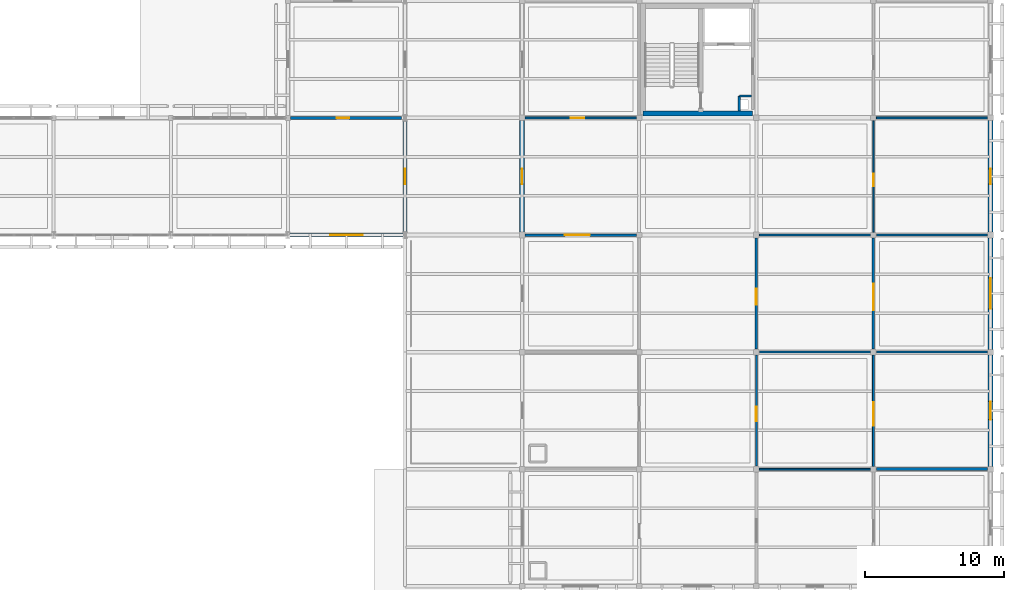
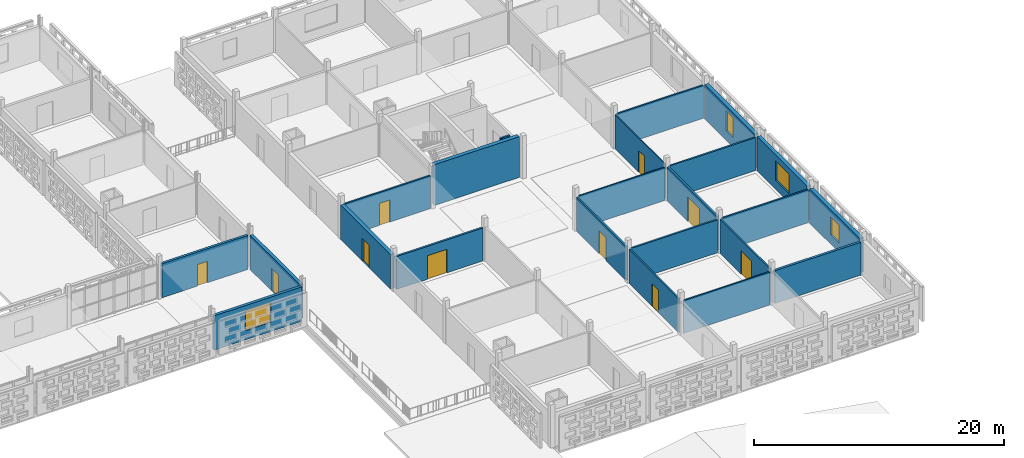
# One storey, part 90 of 140: 24 walls, 10 doors, 4 windows, 14 openings.
"""IFC4 building model written with IfcOpenShell, lengths in metres."""

from ifc_helpers import new_model, si_unit, direction, frame, frame_2d, origin, place, context, subcontext, project, spatial, rectangle, extrude, material, layer, layer_set, type_object, element, fill, save


model = new_model("IFC4")

# Units and contexts
model_context = context("Model", 3, precision=1e-05, world=origin(), true_north=direction((0.0, 1.0)))
body_context = subcontext(model_context, "Body", "Model", "MODEL_VIEW")
ifc_project = project(units=[si_unit("LENGTHUNIT", "METRE"), si_unit("AREAUNIT", "SQUARE_METRE"), si_unit("VOLUMEUNIT", "CUBIC_METRE"), si_unit("PLANEANGLEUNIT", "RADIAN"), si_unit("MASSUNIT", "GRAM", prefix="KILO")], contexts=[model_context])

# Site, building, storey
site_placement = place(None, origin())
site = spatial("IfcSite", under=ifc_project, at=site_placement, CompositionType="ELEMENT")
building_placement = place(site_placement, origin())
building = spatial("IfcBuilding", under=site, at=building_placement, Name="Varnapada Polytechnic", CompositionType="ELEMENT")
storey_placement = place(building_placement, frame((0.0, 0.0, 13.800048828125)))
storey = spatial("IfcBuildingStorey", under=building, at=storey_placement, Name="L03", CompositionType="ELEMENT", Elevation=13.800048828125)

# Walls
ifc_material_1 = material(Name="Autoclaved Aerated Concrete Block AAC-600", Category="concrete")
ifc_layer_1 = layer(ifc_material_1, 0.14990234375)
ifc_layer_set_1 = layer_set([ifc_layer_1], Name="Autoclaved Aerated Concrete Block AAC-600")
wall_type_1 = type_object("IfcWallType", Name="Interior Wall IW-02", PredefinedType="PARTITIONING", material=ifc_layer_set_1)
wall_1_placement = place(storey_placement, frame((158.3798828125, 93.9599609375, 0.0), z_axis=(0.0, 0.0, 1.0), x_axis=(0.0, -1.0, 0.0)))
element("IfcWall", 1, at=wall_1_placement, inside=storey, type_object=wall_type_1, Name="L03 C5 riser shaft west wall", PredefinedType="PARTITIONING", context=body_context, shape_type="SweptSolid", body=[
    extrude(rectangle(XDim=1.06005859375, YDim=0.14990234375, at=frame_2d((0.530029296875, 0.0))), origin(), (0.0, 0.0, 1.0), 3.320068359375),
])
wall_2_placement = place(storey_placement, frame((158.3798828125, 93.9599609375, 0.0), z_axis=(0.0, 0.0, 1.0), x_axis=(1.0, 0.0, 0.0)))
element("IfcWall", 2, at=wall_2_placement, inside=storey, type_object=wall_type_1, Name="L03 C5 riser shaft north wall", PredefinedType="PARTITIONING", context=body_context, shape_type="SweptSolid", body=[
    extrude(rectangle(XDim=0.860107421875, YDim=0.14990234375, at=frame_2d((0.43017578125, 0.0))), origin(), (0.0, 0.0, 1.0), 3.320068359375),
])
ifc_material_2 = material(Name="Gypsum Plasterboard Acoustic Partition")
ifc_layer_2 = layer(ifc_material_2, 0.125)
ifc_layer_set_2 = layer_set([ifc_layer_2], Name="Gypsum Plasterboard Acoustic Partition")
wall_type_2 = type_object("IfcWallType", Name="Interior Wall IW-03", PredefinedType="PARTITIONING", material=ifc_layer_set_2)
wall_3_placement = place(storey_placement, frame((159.820068359375, 67.199951171875, 0.0), z_axis=(0.0, 0.0, 1.0), x_axis=(1.0, 0.0, 0.0)))
element("IfcWall", 3, at=wall_3_placement, inside=storey, type_object=wall_type_2, Name="L03 interior partition IW-L03-19-07-H", PredefinedType="PARTITIONING", context=body_context, shape_type="SweptSolid", body=[
    extrude(rectangle(XDim=7.969970703125, YDim=0.125, at=frame_2d((3.98486328125, 0.0))), origin(), (0.0, 0.0, 1.0), 3.2099609375),
])

# Wall, opening, door
ifc_material_3 = material(Name="Moisture-Resistant Cement Board Partition")
ifc_layer_3 = layer(ifc_material_3, 0.139892578125)
ifc_layer_set_3 = layer_set([ifc_layer_3], Name="Moisture-Resistant Cement Board Partition")
wall_type_3 = type_object("IfcWallType", Name="Interior Wall IW-04", PredefinedType="PARTITIONING", material=ifc_layer_set_3)
wall_4_placement = place(storey_placement, frame((143.02001953125, 92.39990234375, 0.0), z_axis=(0.0, 0.0, 1.0), x_axis=(1.0, 0.0, 0.0)))
wall_4 = element("IfcWall", 4, at=wall_4_placement, inside=storey, type_object=wall_type_3, Name="L03 interior partition IW-L03-17-10-H", PredefinedType="PARTITIONING", context=body_context, shape_type="SweptSolid", body=[
    extrude(rectangle(XDim=7.969970703125, YDim=0.139892578125, at=frame_2d((3.98486328125, 0.0))), origin(), (0.0, 0.0, 1.0), 3.219970703125),
])
opening_1_placement = place(wall_4_placement, frame((3.27490234375, 0.0, 0.0)))
opening_1 = element("IfcOpeningElement", 5, at=opening_1_placement, cuts=wall_4, Name="Opening D-1244", PredefinedType="OPENING", context=body_context, shape_type="SweptSolid", body=[
    extrude(rectangle(XDim=0.949951171875, YDim=2.14990234375, at=frame_2d((0.47509765625, 1.074951171875))), frame((0.0, 0.079833984375, 0.0), z_axis=(0.0, -1.0, 0.0), x_axis=(1.0, 0.0, 0.0)), (0.0, 0.0, 1.0), 0.159912109375),
])
ifc_material_4 = material(Name="Moisture-Resistant HPL Timber", Category="wood")
door_type_1 = type_object("IfcDoorType", Name="Interior Door ID-03", OperationType="NOTDEFINED", PredefinedType="DOOR", material=ifc_material_4)
door_1_placement = place(opening_1_placement, frame((0.949951171875, 0.0, 0.0), z_axis=(0.0, 0.0, 1.0), x_axis=(-1.0, 0.0, 0.0)))
door_1 = element("IfcDoor", 6, at=door_1_placement, inside=storey, type_object=door_type_1, Name="L03 interior room door D-1244", OperationType="SINGLE_SWING_LEFT", OverallHeight=2.14990234375, OverallWidth=0.949951171875, PredefinedType="DOOR", context=body_context, shape_type="SweptSolid", body=[
    extrude(rectangle(XDim=0.949951171875, YDim=2.14990234375, at=frame_2d((0.47509765625, 1.074951171875))), frame((0.0, 0.02490234375, 0.0), z_axis=(0.0, -1.0, 0.0), x_axis=(1.0, 0.0, 0.0)), (0.0, 0.0, 1.0), 0.050048828125),
])
fill(opening_1, door_1)

wall_5_placement = place(storey_placement, frame((168.0, 67.409912109375, 0.0), z_axis=(0.0, 0.0, 1.0), x_axis=(0.0, 1.0, 0.0)))
wall_5 = element("IfcWall", 7, at=wall_5_placement, inside=storey, type_object=wall_type_3, Name="L03 interior partition IW-L03-19-08-V", PredefinedType="PARTITIONING", context=body_context, shape_type="SweptSolid", body=[
    extrude(rectangle(XDim=7.97998046875, YDim=0.139892578125, at=frame_2d((3.989990234375, 0.0))), origin(), (0.0, 0.0, 1.0), 3.320068359375),
])
opening_2_placement = place(wall_5_placement, frame((2.89990234375, 0.0, 0.0)))
opening_2 = element("IfcOpeningElement", 8, at=opening_2_placement, cuts=wall_5, Name="Opening D-1252", PredefinedType="OPENING", context=body_context, shape_type="SweptSolid", body=[
    extrude(rectangle(XDim=1.699951171875, YDim=2.300048828125, at=frame_2d((0.85009765625, 1.14990234375))), frame((0.0, 0.079833984375, 0.0), z_axis=(0.0, -1.0, 0.0), x_axis=(1.0, 0.0, 0.0)), (0.0, 0.0, 1.0), 0.159912109375),
])
ifc_material_5 = material(Name="Acoustic Double Timber Leaf", Category="wood")
door_type_2 = type_object("IfcDoorType", Name="Interior Door ID-13", OperationType="NOTDEFINED", PredefinedType="DOOR", material=ifc_material_5)
door_2_placement = place(opening_2_placement, origin())
door_2 = element("IfcDoor", 9, at=door_2_placement, inside=storey, type_object=door_type_2, Name="L03 interior room door D-1252", OperationType="SINGLE_SWING_LEFT", OverallHeight=2.300048828125, OverallWidth=1.699951171875, PredefinedType="DOOR", context=body_context, shape_type="SweptSolid", body=[
    extrude(rectangle(XDim=1.699951171875, YDim=2.300048828125, at=frame_2d((0.85009765625, 1.14990234375))), frame((0.0, 0.02490234375, 0.0), z_axis=(0.0, -1.0, 0.0), x_axis=(1.0, 0.0, 0.0)), (0.0, 0.0, 1.0), 0.050048828125),
])
fill(opening_2, door_2)

# Walls
wall_6_placement = place(storey_placement, frame((168.2099609375, 92.39990234375, 0.0), z_axis=(0.0, 0.0, 1.0), x_axis=(1.0, 0.0, 0.0)))
element("IfcWall", 10, at=wall_6_placement, inside=storey, type_object=wall_type_3, Name="L03 interior partition IW-L03-20-10-H", PredefinedType="PARTITIONING", context=body_context, shape_type="SweptSolid", body=[
    extrude(rectangle(XDim=7.969970703125, YDim=0.139892578125, at=frame_2d((3.98486328125, 0.0))), origin(), (0.0, 0.0, 1.0), 3.219970703125),
])
ifc_material_6 = material(Name="Cross-laminated timber CLT C24", Category="wood")
ifc_layer_4 = layer(ifc_material_6, 0.159912109375)
ifc_layer_set_4 = layer_set([ifc_layer_4], Name="Cross-laminated timber CLT C24")
wall_type_4 = type_object("IfcWallType", Name="Interior Wall IW-05", PredefinedType="PARTITIONING", material=ifc_layer_set_4)
wall_7_placement = place(storey_placement, frame((159.820068359375, 75.60009765625, 0.0), z_axis=(0.0, 0.0, 1.0), x_axis=(1.0, 0.0, 0.0)))
element("IfcWall", 11, at=wall_7_placement, inside=storey, type_object=wall_type_4, Name="L03 interior partition IW-L03-19-08-H", PredefinedType="PARTITIONING", context=body_context, shape_type="SweptSolid", body=[
    extrude(rectangle(XDim=7.969970703125, YDim=0.159912109375, at=frame_2d((3.98486328125, 0.0))), origin(), (0.0, 0.0, 1.0), 3.219970703125),
])

# Wall, opening, door
ifc_material_7 = material(Name="Acoustic Double-Stud Studio Partition")
ifc_layer_5 = layer(ifc_material_7, 0.179931640625)
ifc_layer_set_5 = layer_set([ifc_layer_5], Name="Acoustic Double-Stud Studio Partition")
wall_type_5 = type_object("IfcWallType", Name="Interior Wall IW-06", PredefinedType="PARTITIONING", material=ifc_layer_set_5)
wall_8_placement = place(storey_placement, frame((143.02001953125, 84.0, 0.0), z_axis=(0.0, 0.0, 1.0), x_axis=(1.0, 0.0, 0.0)))
wall_8 = element("IfcWall", 12, at=wall_8_placement, inside=storey, type_object=wall_type_5, Name="L03 interior partition IW-L03-17-09-H", PredefinedType="PARTITIONING", context=body_context, shape_type="SweptSolid", body=[
    extrude(rectangle(XDim=7.969970703125, YDim=0.179931640625, at=frame_2d((3.98486328125, 0.0))), origin(), (0.0, 0.0, 1.0), 3.219970703125),
])
opening_3_placement = place(wall_8_placement, frame((2.85009765625, 0.0, 0.0)))
opening_3 = element("IfcOpeningElement", 13, at=opening_3_placement, cuts=wall_8, Name="Opening D-1243", PredefinedType="OPENING", context=body_context, shape_type="SweptSolid", body=[
    extrude(rectangle(XDim=1.800048828125, YDim=2.300048828125, at=frame_2d((0.89990234375, 1.14990234375))), frame((0.0, 0.099853515625, 0.0), z_axis=(0.0, -1.0, 0.0), x_axis=(1.0, 0.0, 0.0)), (0.0, 0.0, 1.0), 0.199951171875),
])
door_type_3 = type_object("IfcDoorType", Name="Interior Door ID-04", OperationType="NOTDEFINED", PredefinedType="DOOR", material=ifc_material_5)
door_3_placement = place(opening_3_placement, origin())
door_3 = element("IfcDoor", 14, at=door_3_placement, inside=storey, type_object=door_type_3, Name="L03 interior room door D-1243", OperationType="SINGLE_SWING_RIGHT", OverallHeight=2.300048828125, OverallWidth=1.800048828125, PredefinedType="DOOR", context=body_context, shape_type="SweptSolid", body=[
    extrude(rectangle(XDim=1.800048828125, YDim=2.300048828125, at=frame_2d((0.89990234375, 1.14990234375))), frame((0.0, 0.02490234375, 0.0), z_axis=(0.0, -1.0, 0.0), x_axis=(1.0, 0.0, 0.0)), (0.0, 0.0, 1.0), 0.050048828125),
])
fill(opening_3, door_3)

wall_9_placement = place(storey_placement, frame((168.0, 75.81005859375, 0.0), z_axis=(0.0, 0.0, 1.0), x_axis=(0.0, 1.0, 0.0)))
wall_9 = element("IfcWall", 15, at=wall_9_placement, inside=storey, type_object=wall_type_5, Name="L03 interior partition IW-L03-19-09-V", PredefinedType="PARTITIONING", context=body_context, shape_type="SweptSolid", body=[
    extrude(rectangle(XDim=7.97998046875, YDim=0.179931640625, at=frame_2d((3.989990234375, 0.0))), origin(), (0.0, 0.0, 1.0), 3.320068359375),
])
opening_4_placement = place(wall_9_placement, frame((2.800048828125, 0.0, 0.0)))
opening_4 = element("IfcOpeningElement", 16, at=opening_4_placement, cuts=wall_9, Name="Opening D-1253", PredefinedType="OPENING", context=body_context, shape_type="SweptSolid", body=[
    extrude(rectangle(XDim=1.89990234375, YDim=2.39990234375, at=frame_2d((0.949951171875, 1.199951171875))), frame((0.0, 0.099853515625, 0.0), z_axis=(0.0, -1.0, 0.0), x_axis=(1.0, 0.0, 0.0)), (0.0, 0.0, 1.0), 0.199951171875),
])
ifc_material_8 = material(Name="Heavy Workshop Double Steel Door", Category="steel")
door_type_4 = type_object("IfcDoorType", Name="Interior Door ID-14", OperationType="NOTDEFINED", PredefinedType="DOOR", material=ifc_material_8)
door_4_placement = place(opening_4_placement, frame((1.89990234375, 0.0, 0.0), z_axis=(0.0, 0.0, 1.0), x_axis=(-1.0, 0.0, 0.0)))
door_4 = element("IfcDoor", 17, at=door_4_placement, inside=storey, type_object=door_type_4, Name="L03 interior room door D-1253", OperationType="SINGLE_SWING_RIGHT", OverallHeight=2.39990234375, OverallWidth=1.89990234375, PredefinedType="DOOR", context=body_context, shape_type="SweptSolid", body=[
    extrude(rectangle(XDim=1.89990234375, YDim=2.39990234375, at=frame_2d((0.949951171875, 1.199951171875))), frame((0.0, 0.02490234375, 0.0), z_axis=(0.0, -1.0, 0.0), x_axis=(1.0, 0.0, 0.0)), (0.0, 0.0, 1.0), 0.050048828125),
])
fill(opening_4, door_4)

# Wall
ifc_material_9 = material(Name="Glazed Timber-Framed Studio Screen", Category="wood")
ifc_layer_6 = layer(ifc_material_9, 0.110107421875)
ifc_layer_set_6 = layer_set([ifc_layer_6], Name="Glazed Timber-Framed Studio Screen")
wall_type_6 = type_object("IfcWallType", Name="Interior Wall IW-07", PredefinedType="PARTITIONING", material=ifc_layer_set_6)
wall_10_placement = place(storey_placement, frame((159.820068359375, 84.0, 0.0), z_axis=(0.0, 0.0, 1.0), x_axis=(1.0, 0.0, 0.0)))
element("IfcWall", 18, at=wall_10_placement, inside=storey, type_object=wall_type_6, Name="L03 interior partition IW-L03-19-09-H", PredefinedType="PARTITIONING", context=body_context, shape_type="SweptSolid", body=[
    extrude(rectangle(XDim=7.969970703125, YDim=0.110107421875, at=frame_2d((3.98486328125, 0.0))), origin(), (0.0, 0.0, 1.0), 3.219970703125),
])

# Wall, opening, door
ifc_material_10 = material(Name="Operable Acoustic Seminar Partition")
ifc_layer_7 = layer(ifc_material_10, 0.10009765625)
ifc_layer_set_7 = layer_set([ifc_layer_7], Name="Operable Acoustic Seminar Partition")
wall_type_7 = type_object("IfcWallType", Name="Interior Wall IW-08", PredefinedType="MOVABLE", material=ifc_layer_set_7)
wall_11_placement = place(storey_placement, frame((168.0, 84.2099609375, 0.0), z_axis=(0.0, 0.0, 1.0), x_axis=(0.0, 1.0, 0.0)))
wall_11 = element("IfcWall", 19, at=wall_11_placement, inside=storey, type_object=wall_type_7, Name="L03 interior partition IW-L03-19-10-V", PredefinedType="MOVABLE", context=body_context, shape_type="SweptSolid", body=[
    extrude(rectangle(XDim=7.97998046875, YDim=0.10009765625, at=frame_2d((3.989990234375, 0.0))), origin(), (0.0, 0.0, 1.0), 3.320068359375),
])
opening_5_placement = place(wall_11_placement, frame((3.300048828125, 0.0, 0.0)))
opening_5 = element("IfcOpeningElement", 20, at=opening_5_placement, cuts=wall_11, Name="Opening D-1254", PredefinedType="OPENING", context=body_context, shape_type="SweptSolid", body=[
    extrude(rectangle(XDim=0.89990234375, YDim=2.10009765625, at=frame_2d((0.449951171875, 1.050048828125))), frame((0.0, 0.06005859375, 0.0), z_axis=(0.0, -1.0, 0.0), x_axis=(1.0, 0.0, 0.0)), (0.0, 0.0, 1.0), 0.1201171875),
])
door_type_5 = type_object("IfcDoorType", Name="Interior Door ID-15", OperationType="NOTDEFINED", PredefinedType="DOOR", material=ifc_material_4)
door_5_placement = place(opening_5_placement, origin())
door_5 = element("IfcDoor", 21, at=door_5_placement, inside=storey, type_object=door_type_5, Name="L03 interior room door D-1254", OperationType="SINGLE_SWING_LEFT", OverallHeight=2.10009765625, OverallWidth=0.89990234375, PredefinedType="DOOR", context=body_context, shape_type="SweptSolid", body=[
    extrude(rectangle(XDim=0.89990234375, YDim=2.10009765625, at=frame_2d((0.449951171875, 1.050048828125))), frame((0.0, 0.02490234375, 0.0), z_axis=(0.0, -1.0, 0.0), x_axis=(1.0, 0.0, 0.0)), (0.0, 0.0, 1.0), 0.050048828125),
])
fill(opening_5, door_5)

ifc_material_11 = material(Name="Heavy Acoustic Auditorium Baffle Wall")
ifc_layer_8 = layer(ifc_material_11, 0.219970703125)
ifc_layer_set_8 = layer_set([ifc_layer_8], Name="Heavy Acoustic Auditorium Baffle Wall")
wall_type_8 = type_object("IfcWallType", Name="Interior Wall IW-13", PredefinedType="PARTITIONING", material=ifc_layer_set_8)
wall_12_placement = place(storey_placement, frame((126.18994140625, 92.39990234375, 0.0), z_axis=(0.0, 0.0, 1.0), x_axis=(1.0, 0.0, 0.0)))
wall_12 = element("IfcWall", 22, at=wall_12_placement, inside=storey, type_object=wall_type_8, Name="L03 interior partition IW-L03-15-10-H", PredefinedType="PARTITIONING", context=body_context, shape_type="SweptSolid", body=[
    extrude(rectangle(XDim=7.965087890625, YDim=0.219970703125, at=frame_2d((3.982421875, 0.0))), origin(), (0.0, 0.0, 1.0), 3.320068359375),
])
opening_6_placement = place(wall_12_placement, frame((3.300048828125, 0.0, 0.0)))
opening_6 = element("IfcOpeningElement", 23, at=opening_6_placement, cuts=wall_12, Name="Opening D-1237", PredefinedType="OPENING", context=body_context, shape_type="SweptSolid", body=[
    extrude(rectangle(XDim=0.89990234375, YDim=2.10009765625, at=frame_2d((0.449951171875, 1.050048828125))), frame((0.0, 0.119873046875, 0.0), z_axis=(0.0, -1.0, 0.0), x_axis=(1.0, 0.0, 0.0)), (0.0, 0.0, 1.0), 0.239990234375),
])
door_6_placement = place(opening_6_placement, origin())
door_6 = element("IfcDoor", 24, at=door_6_placement, inside=storey, type_object=door_type_5, Name="L03 interior room door D-1237", OperationType="SINGLE_SWING_RIGHT", OverallHeight=2.10009765625, OverallWidth=0.89990234375, PredefinedType="DOOR", context=body_context, shape_type="SweptSolid", body=[
    extrude(rectangle(XDim=0.89990234375, YDim=2.10009765625, at=frame_2d((0.449951171875, 1.050048828125))), frame((0.0, 0.02490234375, 0.0), z_axis=(0.0, -1.0, 0.0), x_axis=(1.0, 0.0, 0.0)), (0.0, 0.0, 1.0), 0.050048828125),
])
fill(opening_6, door_6)

# Wall
wall_13_placement = place(storey_placement, frame((168.2099609375, 67.199951171875, 0.0), z_axis=(0.0, 0.0, 1.0), x_axis=(1.0, 0.0, 0.0)))
element("IfcWall", 25, at=wall_13_placement, inside=storey, type_object=wall_type_8, Name="L03 interior partition IW-L03-20-07-H", PredefinedType="PARTITIONING", context=body_context, shape_type="SweptSolid", body=[
    extrude(rectangle(XDim=7.969970703125, YDim=0.219970703125, at=frame_2d((3.98486328125, 0.0))), origin(), (0.0, 0.0, 1.0), 3.2099609375),
])

# Wall, opening, door
ifc_material_12 = material(Name="Ceramic-Tiled Wet Laboratory Wall")
ifc_layer_9 = layer(ifc_material_12, 0.14501953125)
ifc_layer_set_9 = layer_set([ifc_layer_9], Name="Ceramic-Tiled Wet Laboratory Wall")
wall_type_9 = type_object("IfcWallType", Name="Interior Wall IW-14", PredefinedType="PARTITIONING", material=ifc_layer_set_9)
wall_14_placement = place(storey_placement, frame((159.60009765625, 67.419921875, 0.0), z_axis=(0.0, 0.0, 1.0), x_axis=(0.0, 1.0, 0.0)))
wall_14 = element("IfcWall", 26, at=wall_14_placement, inside=storey, type_object=wall_type_9, Name="L03 interior partition IW-L03-18-08-V", PredefinedType="PARTITIONING", context=body_context, shape_type="SweptSolid", body=[
    extrude(rectangle(XDim=7.9599609375, YDim=0.14501953125, at=frame_2d((3.97998046875, 0.0))), origin(), (0.0, 0.0, 1.0), 3.320068359375),
])
opening_7_placement = place(wall_14_placement, frame((3.22509765625, 0.0, 0.0)))
opening_7 = element("IfcOpeningElement", 27, at=opening_7_placement, cuts=wall_14, Name="Opening D-1248", PredefinedType="OPENING", context=body_context, shape_type="SweptSolid", body=[
    extrude(rectangle(XDim=1.050048828125, YDim=2.199951171875, at=frame_2d((0.52490234375, 1.10009765625))), frame((0.0, 0.08251953125, 0.0), z_axis=(0.0, -1.0, 0.0), x_axis=(1.0, 0.0, 0.0)), (0.0, 0.0, 1.0), 0.1650390625),
])
ifc_material_13 = material(Name="Solid Teak Hardwood Timber", Category="wood")
door_type_6 = type_object("IfcDoorType", Name="Interior Door ID-09", OperationType="NOTDEFINED", PredefinedType="DOOR", material=ifc_material_13)
door_7_placement = place(opening_7_placement, origin())
door_7 = element("IfcDoor", 28, at=door_7_placement, inside=storey, type_object=door_type_6, Name="L03 interior room door D-1248", OperationType="SINGLE_SWING_LEFT", OverallHeight=2.199951171875, OverallWidth=1.050048828125, PredefinedType="DOOR", context=body_context, shape_type="SweptSolid", body=[
    extrude(rectangle(XDim=1.050048828125, YDim=2.199951171875, at=frame_2d((0.52490234375, 1.10009765625))), frame((0.0, 0.02490234375, 0.0), z_axis=(0.0, -1.0, 0.0), x_axis=(1.0, 0.0, 0.0)), (0.0, 0.0, 1.0), 0.050048828125),
])
fill(opening_7, door_7)

# Wall
wall_15_placement = place(storey_placement, frame((168.2099609375, 75.60009765625, 0.0), z_axis=(0.0, 0.0, 1.0), x_axis=(1.0, 0.0, 0.0)))
element("IfcWall", 29, at=wall_15_placement, inside=storey, type_object=wall_type_9, Name="L03 interior partition IW-L03-20-08-H", PredefinedType="PARTITIONING", context=body_context, shape_type="SweptSolid", body=[
    extrude(rectangle(XDim=7.969970703125, YDim=0.14501953125, at=frame_2d((3.98486328125, 0.0))), origin(), (0.0, 0.0, 1.0), 3.219970703125),
])

# Wall, opening, door
ifc_material_14 = material(Name="Perforated Timber-Lined Seminar Wall", Category="wood")
ifc_layer_10 = layer(ifc_material_14, 0.155029296875)
ifc_layer_set_10 = layer_set([ifc_layer_10], Name="Perforated Timber-Lined Seminar Wall")
wall_type_10 = type_object("IfcWallType", Name="Interior Wall IW-15", PredefinedType="PARTITIONING", material=ifc_layer_set_10)
wall_16_placement = place(storey_placement, frame((159.60009765625, 75.820068359375, 0.0), z_axis=(0.0, 0.0, 1.0), x_axis=(0.0, 1.0, 0.0)))
wall_16 = element("IfcWall", 30, at=wall_16_placement, inside=storey, type_object=wall_type_10, Name="L03 interior partition IW-L03-18-09-V", PredefinedType="PARTITIONING", context=body_context, shape_type="SweptSolid", body=[
    extrude(rectangle(XDim=7.9599609375, YDim=0.155029296875, at=frame_2d((3.97998046875, 0.0))), origin(), (0.0, 0.0, 1.0), 3.320068359375),
])
opening_8_placement = place(wall_16_placement, frame((3.175048828125, 0.0, 0.0)))
opening_8 = element("IfcOpeningElement", 31, at=opening_8_placement, cuts=wall_16, Name="Opening D-1249", PredefinedType="OPENING", context=body_context, shape_type="SweptSolid", body=[
    extrude(rectangle(XDim=1.14990234375, YDim=2.25, at=frame_2d((0.574951171875, 1.125))), frame((0.0, 0.08740234375, 0.0), z_axis=(0.0, -1.0, 0.0), x_axis=(1.0, 0.0, 0.0)), (0.0, 0.0, 1.0), 0.175048828125),
])
ifc_material_15 = material(Name="Powder-Coated Aluminium 6063-T6", Category="aluminium")
door_type_7 = type_object("IfcDoorType", Name="Interior Door ID-10", OperationType="NOTDEFINED", PredefinedType="DOOR", material=ifc_material_15)
door_8_placement = place(opening_8_placement, origin())
door_8 = element("IfcDoor", 32, at=door_8_placement, inside=storey, type_object=door_type_7, Name="L03 interior room door D-1249", OperationType="SINGLE_SWING_RIGHT", OverallHeight=2.25, OverallWidth=1.14990234375, PredefinedType="DOOR", context=body_context, shape_type="SweptSolid", body=[
    extrude(rectangle(XDim=1.14990234375, YDim=2.25, at=frame_2d((0.574951171875, 1.125))), frame((0.0, 0.02490234375, 0.0), z_axis=(0.0, -1.0, 0.0), x_axis=(1.0, 0.0, 0.0)), (0.0, 0.0, 1.0), 0.050048828125),
])
fill(opening_8, door_8)

# Walls
wall_17_placement = place(storey_placement, frame((168.2099609375, 84.0, 0.0), z_axis=(0.0, 0.0, 1.0), x_axis=(1.0, 0.0, 0.0)))
element("IfcWall", 33, at=wall_17_placement, inside=storey, type_object=wall_type_10, Name="L03 interior partition IW-L03-20-09-H", PredefinedType="PARTITIONING", context=body_context, shape_type="SweptSolid", body=[
    extrude(rectangle(XDim=7.969970703125, YDim=0.155029296875, at=frame_2d((3.98486328125, 0.0))), origin(), (0.0, 0.0, 1.0), 3.219970703125),
])
ifc_material_16 = material(Name="Concrete C40/50", Category="concrete")
ifc_layer_11 = layer(ifc_material_16, 0.35009765625)
ifc_layer_set_11 = layer_set([ifc_layer_11], Name="Concrete C40/50")
wall_type_11 = type_object("IfcWallType", Name="Interior Wall SW-01", PredefinedType="SHEAR", material=ifc_layer_set_11)
wall_18_placement = place(storey_placement, frame((159.340087890625, 92.719970703125, 0.0), z_axis=(0.0, 0.0, 1.0), x_axis=(-1.0, 0.0, 0.0)))
element("IfcWall", 34, at=wall_18_placement, inside=storey, type_object=wall_type_11, Name="L03 C5 core south shear wall", PredefinedType="SHEAR", context=body_context, shape_type="SweptSolid", body=[
    extrude(rectangle(XDim=7.875, YDim=0.35009765625, at=frame_2d((3.9375, 0.0))), origin(), (0.0, 0.0, 1.0), 3.97998046875),
])

# Wall, opening, door
ifc_material_17 = material(Name="Precast concrete C40/50", Category="concrete")
ifc_layer_12 = layer(ifc_material_17, 0.280029296875)
ifc_layer_set_12 = layer_set([ifc_layer_12], Name="Precast concrete C40/50")
wall_type_12 = type_object("IfcWallType", Name="Wall EW-02", PredefinedType="SOLIDWALL", material=ifc_layer_set_12)
wall_19_placement = place(storey_placement, frame((134.39990234375, 92.175048828125, 0.0), z_axis=(0.0, 0.0, 1.0), x_axis=(0.0, -1.0, 0.0)))
wall_19 = element("IfcWall", 35, at=wall_19_placement, inside=storey, type_object=wall_type_12, Name="L03 exterior wall EW-02 (69)", PredefinedType="SOLIDWALL", context=body_context, shape_type="SweptSolid", body=[
    extrude(rectangle(XDim=7.955078125, YDim=0.280029296875, at=frame_2d((3.9775390625, 0.0))), origin(), (0.0, 0.0, 1.0), 3.35986328125),
])
opening_9_placement = place(wall_19_placement, frame((3.427490234375, 0.0, 0.0)))
opening_9 = element("IfcOpeningElement", 36, at=opening_9_placement, cuts=wall_19, Name="Opening D-039", PredefinedType="OPENING", context=body_context, shape_type="SweptSolid", body=[
    extrude(rectangle(XDim=1.10009765625, YDim=2.199951171875, at=frame_2d((0.550048828125, 1.10009765625))), frame((0.0, 0.14990234375, 0.0), z_axis=(0.0, -1.0, 0.0), x_axis=(1.0, 0.0, 0.0)), (0.0, 0.0, 1.0), 0.300048828125),
])
ifc_material_18 = material(Name="Anodised aluminium and laminated glass", Category="aluminium")
door_type_8 = type_object("IfcDoorType", Name="Exterior Door ED-03", OperationType="NOTDEFINED", PredefinedType="DOOR", material=ifc_material_18)
door_9_placement = place(opening_9_placement, origin())
door_9 = element("IfcDoor", 37, at=door_9_placement, inside=storey, type_object=door_type_8, Name="L03 roof terrace access door D-039", OperationType="SINGLE_SWING_RIGHT", OverallHeight=2.199951171875, OverallWidth=1.10009765625, PredefinedType="DOOR", context=body_context, shape_type="SweptSolid", body=[
    extrude(rectangle(XDim=1.10009765625, YDim=2.199951171875, at=frame_2d((0.550048828125, 1.10009765625))), frame((0.0, 0.02490234375, 0.0), z_axis=(0.0, -1.0, 0.0), x_axis=(1.0, 0.0, 0.0)), (0.0, 0.0, 1.0), 0.050048828125),
])
fill(opening_9, door_9)

# Wall, opening, window
ifc_layer_13 = layer(ifc_material_17, 0.260009765625)
ifc_layer_set_13 = layer_set([ifc_layer_13], Name="Precast concrete C40/50")
wall_type_13 = type_object("IfcWallType", Name="Wall EW-03", PredefinedType="SOLIDWALL", material=ifc_layer_set_13)
wall_20_placement = place(storey_placement, frame((134.25, 84.0, 0.0), z_axis=(0.0, 0.0, 1.0), x_axis=(-1.0, 0.0, 0.0)))
wall_20 = element("IfcWall", 38, at=wall_20_placement, inside=storey, type_object=wall_type_13, Name="L03 exterior wall EW-03 (68)", PredefinedType="SOLIDWALL", context=body_context, shape_type="SweptSolid", body=[
    extrude(rectangle(XDim=8.10009765625, YDim=0.260009765625, at=frame_2d((4.050048828125, 0.0))), origin(), (0.0, 0.0, 1.0), 3.35986328125),
])
opening_10_placement = place(wall_20_placement, frame((2.875, 0.0, 0.89990234375)))
opening_10 = element("IfcOpeningElement", 39, at=opening_10_placement, cuts=wall_20, Name="Opening WN-26", PredefinedType="OPENING", context=body_context, shape_type="SweptSolid", body=[
    extrude(rectangle(XDim=2.35009765625, YDim=1.949951171875, at=frame_2d((1.175048828125, 0.97509765625))), frame((0.0, 0.139892578125, 0.0), z_axis=(0.0, -1.0, 0.0), x_axis=(1.0, 0.0, 0.0)), (0.0, 0.0, 1.0), 0.280029296875),
])
ifc_material_19 = material(Name="Double low-E laminated glass", Category="glass")
window_type_1 = type_object("IfcWindowType", Name="Window WN-26", PartitioningType="SINGLE_PANEL", PredefinedType="WINDOW", material=ifc_material_19)
window_1_placement = place(opening_10_placement, origin())
window_1 = element("IfcWindow", 40, at=window_1_placement, inside=storey, type_object=window_type_1, Name="L03 window WN-26 (153)", OverallHeight=1.949951171875, OverallWidth=2.35009765625, PartitioningType="SINGLE_PANEL", PredefinedType="WINDOW", context=body_context, shape_type="SweptSolid", body=[
    extrude(rectangle(XDim=2.35009765625, YDim=1.949951171875, at=frame_2d((1.175048828125, 0.97509765625))), frame((0.0, 0.030029296875, 0.0), z_axis=(0.0, -1.0, 0.0), x_axis=(1.0, 0.0, 0.0)), (0.0, 0.0, 1.0), 0.06005859375),
])
fill(opening_10, window_1)

# Wall, opening, door
ifc_layer_14 = layer(ifc_material_17, 0.340087890625)
ifc_layer_set_14 = layer_set([ifc_layer_14], Name="Precast concrete C40/50")
wall_type_14 = type_object("IfcWallType", Name="Wall EW-07", PredefinedType="SOLIDWALL", material=ifc_layer_set_14)
wall_21_placement = place(storey_placement, frame((142.800048828125, 84.199951171875, 0.0), z_axis=(0.0, 0.0, 1.0), x_axis=(0.0, 1.0, 0.0)))
wall_21 = element("IfcWall", 41, at=wall_21_placement, inside=storey, type_object=wall_type_14, Name="L03 exterior wall EW-07 (83)", PredefinedType="SOLIDWALL", context=body_context, shape_type="SweptSolid", body=[
    extrude(rectangle(XDim=8.0, YDim=0.340087890625, at=frame_2d((4.0, 0.0))), origin(), (0.0, 0.0, 1.0), 3.35986328125),
])
opening_11_placement = place(wall_21_placement, frame((3.449951171875, 0.0, 0.0)))
opening_11 = element("IfcOpeningElement", 42, at=opening_11_placement, cuts=wall_21, Name="Opening D-044", PredefinedType="OPENING", context=body_context, shape_type="SweptSolid", body=[
    extrude(rectangle(XDim=1.10009765625, YDim=2.199951171875, at=frame_2d((0.550048828125, 1.10009765625))), frame((0.0, 0.179931640625, 0.0), z_axis=(0.0, -1.0, 0.0), x_axis=(1.0, 0.0, 0.0)), (0.0, 0.0, 1.0), 0.360107421875),
])
door_10_placement = place(opening_11_placement, origin())
door_10 = element("IfcDoor", 43, at=door_10_placement, inside=storey, type_object=door_type_8, Name="L03 roof terrace access door D-044", OperationType="SINGLE_SWING_LEFT", OverallHeight=2.199951171875, OverallWidth=1.10009765625, PredefinedType="DOOR", context=body_context, shape_type="SweptSolid", body=[
    extrude(rectangle(XDim=1.10009765625, YDim=2.199951171875, at=frame_2d((0.550048828125, 1.10009765625))), frame((0.0, 0.02490234375, 0.0), z_axis=(0.0, -1.0, 0.0), x_axis=(1.0, 0.0, 0.0)), (0.0, 0.0, 1.0), 0.050048828125),
])
fill(opening_11, door_10)

# Wall, opening, window
wall_22_placement = place(storey_placement, frame((176.39990234375, 75.39990234375, 0.0), z_axis=(0.0, 0.0, 1.0), x_axis=(0.0, -1.0, 0.0)))
wall_22 = element("IfcWall", 44, at=wall_22_placement, inside=storey, type_object=wall_type_14, Name="L03 exterior wall EW-07 (94)", PredefinedType="SOLIDWALL", context=body_context, shape_type="SweptSolid", body=[
    extrude(rectangle(XDim=8.0, YDim=0.340087890625, at=frame_2d((4.0, 0.0))), origin(), (0.0, 0.0, 1.0), 3.35986328125),
])
opening_12_placement = place(wall_22_placement, frame((3.35009765625, 0.0, 0.89990234375)))
opening_12 = element("IfcOpeningElement", 45, at=opening_12_placement, cuts=wall_22, Name="Opening WN-09", PredefinedType="OPENING", context=body_context, shape_type="SweptSolid", body=[
    extrude(rectangle(XDim=1.300048828125, YDim=1.75, at=frame_2d((0.64990234375, 0.875))), frame((0.0, 0.179931640625, 0.0), z_axis=(0.0, -1.0, 0.0), x_axis=(1.0, 0.0, 0.0)), (0.0, 0.0, 1.0), 0.360107421875),
])
window_type_2 = type_object("IfcWindowType", Name="Window WN-09", PartitioningType="SINGLE_PANEL", PredefinedType="WINDOW", material=ifc_material_19)
window_2_placement = place(opening_12_placement, origin())
window_2 = element("IfcWindow", 46, at=window_2_placement, inside=storey, type_object=window_type_2, Name="L03 window WN-09 (171)", OverallHeight=1.75, OverallWidth=1.300048828125, PartitioningType="SINGLE_PANEL", PredefinedType="WINDOW", context=body_context, shape_type="SweptSolid", body=[
    extrude(rectangle(XDim=1.300048828125, YDim=1.75, at=frame_2d((0.64990234375, 0.875))), frame((0.0, 0.030029296875, 0.0), z_axis=(0.0, -1.0, 0.0), x_axis=(1.0, 0.0, 0.0)), (0.0, 0.0, 1.0), 0.06005859375),
])
fill(opening_12, window_2)

wall_23_placement = place(storey_placement, frame((176.39990234375, 83.800048828125, 0.0), z_axis=(0.0, 0.0, 1.0), x_axis=(0.0, -1.0, 0.0)))
wall_23 = element("IfcWall", 47, at=wall_23_placement, inside=storey, type_object=wall_type_14, Name="L03 exterior wall EW-07 (95)", PredefinedType="SOLIDWALL", context=body_context, shape_type="SweptSolid", body=[
    extrude(rectangle(XDim=8.0, YDim=0.340087890625, at=frame_2d((4.0, 0.0))), origin(), (0.0, 0.0, 1.0), 3.35986328125),
])
opening_13_placement = place(wall_23_placement, frame((2.89990234375, 0.0, 0.89990234375)))
opening_13 = element("IfcOpeningElement", 48, at=opening_13_placement, cuts=wall_23, Name="Opening WN-12", PredefinedType="OPENING", context=body_context, shape_type="SweptSolid", body=[
    extrude(rectangle(XDim=2.199951171875, YDim=1.89990234375, at=frame_2d((1.10009765625, 0.949951171875))), frame((0.0, 0.179931640625, 0.0), z_axis=(0.0, -1.0, 0.0), x_axis=(1.0, 0.0, 0.0)), (0.0, 0.0, 1.0), 0.360107421875),
])
window_type_3 = type_object("IfcWindowType", Name="Window WN-12", PartitioningType="SINGLE_PANEL", PredefinedType="WINDOW", material=ifc_material_19)
window_3_placement = place(opening_13_placement, origin())
window_3 = element("IfcWindow", 49, at=window_3_placement, inside=storey, type_object=window_type_3, Name="L03 window WN-12 (172)", OverallHeight=1.89990234375, OverallWidth=2.199951171875, PartitioningType="SINGLE_PANEL", PredefinedType="WINDOW", context=body_context, shape_type="SweptSolid", body=[
    extrude(rectangle(XDim=2.199951171875, YDim=1.89990234375, at=frame_2d((1.10009765625, 0.949951171875))), frame((0.0, 0.030029296875, 0.0), z_axis=(0.0, -1.0, 0.0), x_axis=(1.0, 0.0, 0.0)), (0.0, 0.0, 1.0), 0.06005859375),
])
fill(opening_13, window_3)

wall_24_placement = place(storey_placement, frame((176.39990234375, 92.199951171875, 0.0), z_axis=(0.0, 0.0, 1.0), x_axis=(0.0, -1.0, 0.0)))
wall_24 = element("IfcWall", 50, at=wall_24_placement, inside=storey, type_object=wall_type_14, Name="L03 exterior wall EW-07 (96)", PredefinedType="SOLIDWALL", context=body_context, shape_type="SweptSolid", body=[
    extrude(rectangle(XDim=8.0, YDim=0.340087890625, at=frame_2d((4.0, 0.0))), origin(), (0.0, 0.0, 1.0), 3.35986328125),
])
opening_14_placement = place(wall_24_placement, frame((3.449951171875, 0.0, 0.89990234375)))
opening_14 = element("IfcOpeningElement", 51, at=opening_14_placement, cuts=wall_24, Name="Opening WN-15", PredefinedType="OPENING", context=body_context, shape_type="SweptSolid", body=[
    extrude(rectangle(XDim=1.10009765625, YDim=1.949951171875, at=frame_2d((0.550048828125, 0.97509765625))), frame((0.0, 0.179931640625, 0.0), z_axis=(0.0, -1.0, 0.0), x_axis=(1.0, 0.0, 0.0)), (0.0, 0.0, 1.0), 0.360107421875),
])
window_type_4 = type_object("IfcWindowType", Name="Window WN-15", PartitioningType="SINGLE_PANEL", PredefinedType="WINDOW", material=ifc_material_19)
window_4_placement = place(opening_14_placement, origin())
window_4 = element("IfcWindow", 52, at=window_4_placement, inside=storey, type_object=window_type_4, Name="L03 window WN-15 (173)", OverallHeight=1.949951171875, OverallWidth=1.10009765625, PartitioningType="SINGLE_PANEL", PredefinedType="WINDOW", context=body_context, shape_type="SweptSolid", body=[
    extrude(rectangle(XDim=1.10009765625, YDim=1.949951171875, at=frame_2d((0.550048828125, 0.97509765625))), frame((0.0, 0.030029296875, 0.0), z_axis=(0.0, -1.0, 0.0), x_axis=(1.0, 0.0, 0.0)), (0.0, 0.0, 1.0), 0.06005859375),
])
fill(opening_14, window_4)

save(model, "model.ifc")
